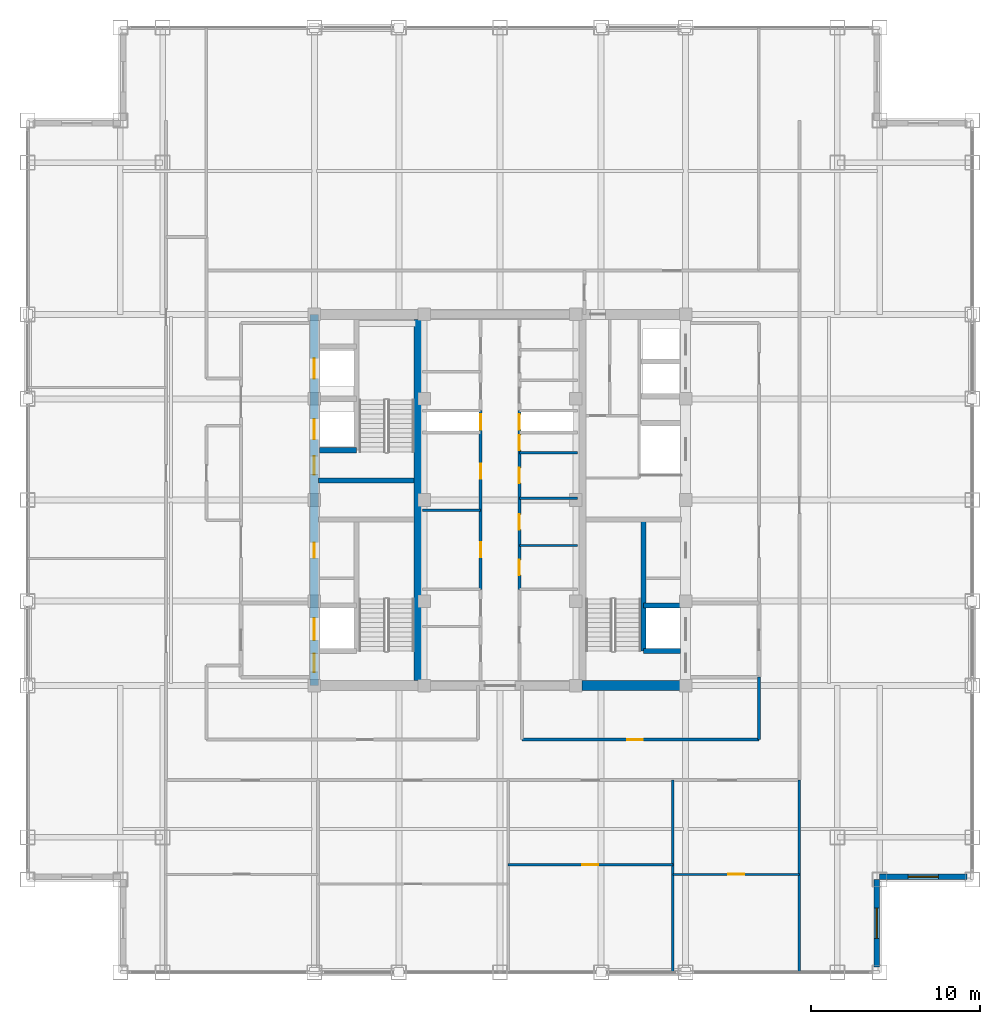
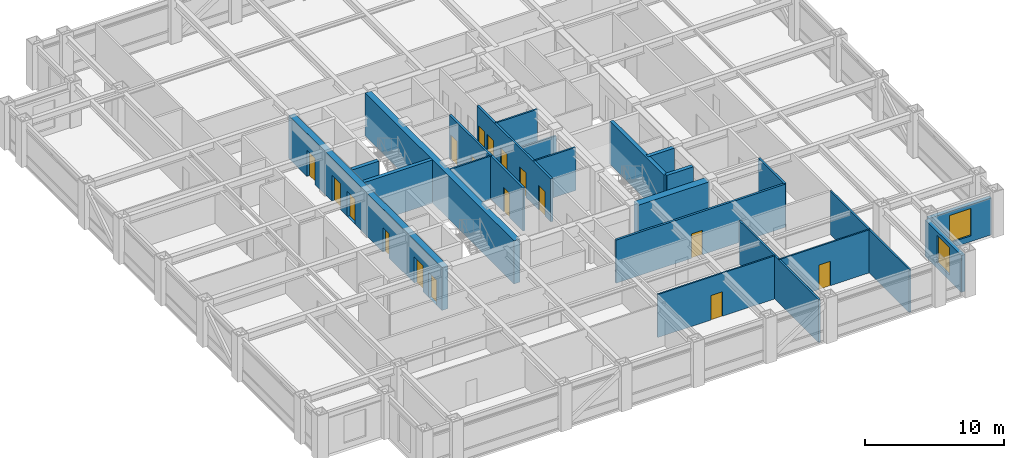
# One storey, part 19 of 22: 22 walls, 17 doors, 2 windows, 19 openings.
"""IFC4 building model written with IfcOpenShell, lengths in metres."""

from ifc_helpers import new_model, si_unit, direction, frame, frame_2d, origin, place, context, subcontext, project, spatial, rectangle, extrude, source, transform, mapped, material, layer, layer_set, type_object, element, fill, save


model = new_model("IFC4")

# Units and contexts
model_context = context("Model", 3, precision=1e-05, world=origin(), true_north=direction((0.0, 1.0)))
body_context = subcontext(model_context, "Body", "Model", "MODEL_VIEW")
ifc_project = project(units=[si_unit("LENGTHUNIT", "METRE"), si_unit("AREAUNIT", "SQUARE_METRE"), si_unit("VOLUMEUNIT", "CUBIC_METRE"), si_unit("PLANEANGLEUNIT", "RADIAN"), si_unit("MASSUNIT", "GRAM", prefix="KILO")], contexts=[model_context])

# Site, building, storey
site_placement = place(None, origin())
site = spatial("IfcSite", under=ifc_project, at=site_placement, CompositionType="ELEMENT")
building_placement = place(site_placement, origin())
building = spatial("IfcBuilding", under=site, at=building_placement, Name="Khorayat Bourse Tower", CompositionType="ELEMENT")
storey_placement = place(building_placement, frame((0.0, 0.0, 293.5)))
storey = spatial("IfcBuildingStorey", under=building, at=storey_placement, Name="L69", CompositionType="ELEMENT", Elevation=293.5)

# Wall, openings, doors
ifc_material_1 = material(Name="Concrete C52/65", Category="concrete")
ifc_layer_1 = layer(ifc_material_1, 0.5)
ifc_layer_set_1 = layer_set([ifc_layer_1], Name="Concrete C52/65")
wall_type_1 = type_object("IfcWallType", Name="WAL-CORE-500", PredefinedType="SHEAR", material=ifc_layer_set_1)
shared_shape_1 = source(origin(), body_context, "Body", "SweptSolid", [
    extrude(rectangle(XDim=22.0, YDim=0.5, at=frame_2d((11.0, 0.0))), origin(), (0.0, 0.0, 1.0), 3.780029296875),
])
wall_1_placement = place(storey_placement, frame((-11.0, -11.0, 0.0), z_axis=(0.0, 0.0, 1.0), x_axis=(0.0, 1.0, 0.0)))
wall_1 = element("IfcWall", 1, at=wall_1_placement, inside=storey, type_object=wall_type_1, Name="L69 Core Shear Wall CORE-W", PredefinedType="SHEAR", context=body_context, shape_type="MappedRepresentation", body=[
    mapped(shared_shape_1, transform((0.0, 0.0, 0.0), scale=1.0)),
])
shared_shape_2 = source(origin(), body_context, "Body", "SweptSolid", [
    extrude(rectangle(XDim=1.10009765625, YDim=2.199951171875, at=frame_2d((0.550048828125, 1.10009765625))), frame((0.0, 0.260009765625, 0.0), z_axis=(0.0, -1.0, 0.0), x_axis=(1.0, 0.0, 0.0)), (0.0, 0.0, 1.0), 0.52001953125),
])
opening_1_placement = place(wall_1_placement, frame((0.800048828125, 0.0, 0.0)))
opening_1 = element("IfcOpeningElement", 2, at=opening_1_placement, cuts=wall_1, Name="Opening DI-01", PredefinedType="OPENING", context=body_context, shape_type="MappedRepresentation", body=[
    mapped(shared_shape_2, transform((0.0, 0.0, 0.0), scale=1.0)),
])
opening_2_placement = place(wall_1_placement, frame((12.5, 0.0, 0.0)))
opening_2 = element("IfcOpeningElement", 3, at=opening_2_placement, cuts=wall_1, Name="Opening DI-01", PredefinedType="OPENING", context=body_context, shape_type="MappedRepresentation", body=[
    mapped(shared_shape_2, transform((0.0, 0.0, 0.0), scale=1.0)),
])
shared_shape_3 = source(origin(), body_context, "Body", "SweptSolid", [
    extrude(rectangle(XDim=0.89990234375, YDim=2.14990234375, at=frame_2d((0.449951171875, 1.074951171875))), frame((0.0, 0.260009765625, 0.0), z_axis=(0.0, -1.0, 0.0), x_axis=(1.0, 0.0, 0.0)), (0.0, 0.0, 1.0), 0.52001953125),
])
opening_3_placement = place(wall_1_placement, frame((7.574951171875, 0.0, 0.0)))
opening_3 = element("IfcOpeningElement", 4, at=opening_3_placement, cuts=wall_1, Name="Opening DI-06", PredefinedType="OPENING", context=body_context, shape_type="MappedRepresentation", body=[
    mapped(shared_shape_3, transform((0.0, 0.0, 0.0), scale=1.0)),
])
shared_shape_4 = source(origin(), body_context, "Body", "SweptSolid", [
    extrude(rectangle(XDim=1.199951171875, YDim=2.300048828125, at=frame_2d((0.60009765625, 1.14990234375))), frame((0.0, 0.260009765625, 0.0), z_axis=(0.0, -1.0, 0.0), x_axis=(1.0, 0.0, 0.0)), (0.0, 0.0, 1.0), 0.52001953125),
])
opening_4_placement = place(wall_1_placement, frame((14.60009765625, 0.0, 0.0)))
opening_4 = element("IfcOpeningElement", 5, at=opening_4_placement, cuts=wall_1, Name="Opening LD-01", PredefinedType="OPENING", context=body_context, shape_type="MappedRepresentation", body=[
    mapped(shared_shape_4, transform((0.0, 0.0, 0.0), scale=1.0)),
])
opening_5_placement = place(wall_1_placement, frame((18.199951171875, 0.0, 0.0)))
opening_5 = element("IfcOpeningElement", 6, at=opening_5_placement, cuts=wall_1, Name="Opening LD-01", PredefinedType="OPENING", context=body_context, shape_type="MappedRepresentation", body=[
    mapped(shared_shape_4, transform((0.0, 0.0, 0.0), scale=1.0)),
])
shared_shape_5 = source(origin(), body_context, "Body", "SweptSolid", [
    extrude(rectangle(XDim=1.300048828125, YDim=2.300048828125, at=frame_2d((0.64990234375, 1.14990234375))), frame((0.0, 0.260009765625, 0.0), z_axis=(0.0, -1.0, 0.0), x_axis=(1.0, 0.0, 0.0)), (0.0, 0.0, 1.0), 0.52001953125),
])
opening_6_placement = place(wall_1_placement, frame((2.699951171875, 0.0, 0.0)))
opening_6 = element("IfcOpeningElement", 7, at=opening_6_placement, cuts=wall_1, Name="Opening LD-02", PredefinedType="OPENING", context=body_context, shape_type="MappedRepresentation", body=[
    mapped(shared_shape_5, transform((0.0, 0.0, 0.0), scale=1.0)),
])
ifc_material_2 = material(Name="Fire-rated steel acoustic leaf", Category="steel")
door_type_1 = type_object("IfcDoorType", Name="DR-INT-STAIR-1100", OperationType="NOTDEFINED", PredefinedType="DOOR", material=ifc_material_2)
shared_shape_6 = source(origin(), body_context, "Body", "SweptSolid", [
    extrude(rectangle(XDim=1.10009765625, YDim=2.199951171875, at=frame_2d((0.550048828125, 1.10009765625))), frame((0.0, 0.02490234375, 0.0), z_axis=(0.0, -1.0, 0.0), x_axis=(1.0, 0.0, 0.0)), (0.0, 0.0, 1.0), 0.050048828125),
])
door_1_placement = place(opening_1_placement, origin())
door_1 = element("IfcDoor", 8, at=door_1_placement, inside=storey, type_object=door_type_1, Name="L69 Exit Stair 1 Door", OperationType="SINGLE_SWING_RIGHT", OverallHeight=2.199951171875, OverallWidth=1.10009765625, PredefinedType="DOOR", context=body_context, shape_type="MappedRepresentation", body=[
    mapped(shared_shape_6, transform((0.0, 0.0, 0.0), scale=1.0)),
])
fill(opening_1, door_1)
door_2_placement = place(opening_2_placement, origin())
door_2 = element("IfcDoor", 9, at=door_2_placement, inside=storey, type_object=door_type_1, Name="L69 Exit Stair 2 Door", OperationType="SINGLE_SWING_RIGHT", OverallHeight=2.199951171875, OverallWidth=1.10009765625, PredefinedType="DOOR", context=body_context, shape_type="MappedRepresentation", body=[
    mapped(shared_shape_6, transform((0.0, 0.0, 0.0), scale=1.0)),
])
fill(opening_2, door_2)
ifc_material_3 = material(Name="Moisture-resistant laminate washroom door")
door_type_2 = type_object("IfcDoorType", Name="DR-INT-WC-900", OperationType="NOTDEFINED", PredefinedType="DOOR", material=ifc_material_3)
shared_shape_7 = source(origin(), body_context, "Body", "SweptSolid", [
    extrude(rectangle(XDim=0.89990234375, YDim=2.14990234375, at=frame_2d((0.449951171875, 1.074951171875))), frame((0.0, 0.02490234375, 0.0), z_axis=(0.0, -1.0, 0.0), x_axis=(1.0, 0.0, 0.0)), (0.0, 0.0, 1.0), 0.050048828125),
])
door_3_placement = place(opening_3_placement, origin())
door_3 = element("IfcDoor", 10, at=door_3_placement, inside=storey, type_object=door_type_2, Name="L69 UPS Switch Plant Room Door", OperationType="SINGLE_SWING_RIGHT", OverallHeight=2.14990234375, OverallWidth=0.89990234375, PredefinedType="DOOR", context=body_context, shape_type="MappedRepresentation", body=[
    mapped(shared_shape_7, transform((0.0, 0.0, 0.0), scale=1.0)),
])
fill(opening_3, door_3)
ifc_material_4 = material(Name="Brushed bronze stainless-steel sliding door", Category="steel")
door_type_3 = type_object("IfcDoorType", Name="DR-LIFT-PASS-1200", OperationType="NOTDEFINED", PredefinedType="DOOR", material=ifc_material_4)
shared_shape_8 = source(origin(), body_context, "Body", "SweptSolid", [
    extrude(rectangle(XDim=1.199951171875, YDim=2.300048828125, at=frame_2d((0.60009765625, 1.14990234375))), frame((0.0, 0.02490234375, 0.0), z_axis=(0.0, -1.0, 0.0), x_axis=(1.0, 0.0, 0.0)), (0.0, 0.0, 1.0), 0.050048828125),
])
door_4_placement = place(opening_4_placement, origin())
door_4 = element("IfcDoor", 11, at=door_4_placement, inside=storey, type_object=door_type_3, Name="L69 Lift PL-H1 Sliding Landing Door", OperationType="SLIDING_TO_LEFT", OverallHeight=2.300048828125, OverallWidth=1.199951171875, PredefinedType="DOOR", context=body_context, shape_type="MappedRepresentation", body=[
    mapped(shared_shape_8, transform((0.0, 0.0, 0.0), scale=1.0)),
])
fill(opening_4, door_4)
door_5_placement = place(opening_5_placement, origin())
door_5 = element("IfcDoor", 12, at=door_5_placement, inside=storey, type_object=door_type_3, Name="L69 Lift PL-H2 Sliding Landing Door", OperationType="SLIDING_TO_LEFT", OverallHeight=2.300048828125, OverallWidth=1.199951171875, PredefinedType="DOOR", context=body_context, shape_type="MappedRepresentation", body=[
    mapped(shared_shape_8, transform((0.0, 0.0, 0.0), scale=1.0)),
])
fill(opening_5, door_5)
ifc_material_5 = material(Name="Fire-rated stainless-steel sliding landing door", Category="steel")
door_type_4 = type_object("IfcDoorType", Name="DR-LIFT-FF-1300", OperationType="NOTDEFINED", PredefinedType="DOOR", material=ifc_material_5)
shared_shape_9 = source(origin(), body_context, "Body", "SweptSolid", [
    extrude(rectangle(XDim=1.300048828125, YDim=2.300048828125, at=frame_2d((0.64990234375, 1.14990234375))), frame((0.0, 0.02490234375, 0.0), z_axis=(0.0, -1.0, 0.0), x_axis=(1.0, 0.0, 0.0)), (0.0, 0.0, 1.0), 0.050048828125),
])
door_6_placement = place(opening_6_placement, origin())
door_6 = element("IfcDoor", 13, at=door_6_placement, inside=storey, type_object=door_type_4, Name="L69 Lift FFL-01 Sliding Landing Door", OperationType="SLIDING_TO_LEFT", OverallHeight=2.300048828125, OverallWidth=1.300048828125, PredefinedType="DOOR", context=body_context, shape_type="MappedRepresentation", body=[
    mapped(shared_shape_9, transform((0.0, 0.0, 0.0), scale=1.0)),
])
fill(opening_6, door_6)

# Walls
shared_shape_10 = source(origin(), body_context, "Body", "SweptSolid", [
    extrude(rectangle(XDim=21.39990234375, YDim=0.5, at=frame_2d((10.699951171875, 0.0))), origin(), (0.0, 0.0, 1.0), 3.780029296875),
])
wall_2_placement = place(storey_placement, frame((-4.85009765625, -10.699951171875, 0.0), z_axis=(0.0, 0.0, 1.0), x_axis=(0.0, 1.0, 0.0)))
element("IfcWall", 14, at=wall_2_placement, inside=storey, type_object=wall_type_1, Name="L69 Core Shear Wall PIER-W", PredefinedType="SHEAR", context=body_context, shape_type="MappedRepresentation", body=[
    mapped(shared_shape_10, transform((0.0, 0.0, 0.0), scale=1.0)),
])
ifc_material_6 = material(Name="Concrete C60/75", Category="concrete")
ifc_layer_2 = layer(ifc_material_6, 0.60009765625)
ifc_layer_set_2 = layer_set([ifc_layer_2], Name="Concrete C60/75")
wall_type_2 = type_object("IfcWallType", Name="WAL-CORE-600", PredefinedType="SHEAR", material=ifc_layer_set_2)
shared_shape_11 = source(origin(), body_context, "Body", "SweptSolid", [
    extrude(rectangle(XDim=5.89990234375, YDim=0.60009765625, at=frame_2d((2.949951171875, 0.0))), origin(), (0.0, 0.0, 1.0), 3.780029296875),
])
wall_3_placement = place(storey_placement, frame((4.85009765625, -11.0, 0.0), z_axis=(0.0, 0.0, 1.0), x_axis=(1.0, 0.0, 0.0)))
element("IfcWall", 15, at=wall_3_placement, inside=storey, type_object=wall_type_2, Name="L69 Core Shear Wall PIER-ES", PredefinedType="SHEAR", context=body_context, shape_type="MappedRepresentation", body=[
    mapped(shared_shape_11, transform((0.0, 0.0, 0.0), scale=1.0)),
])
ifc_material_7 = material(Name="Concrete C50/60", Category="concrete")
ifc_layer_3 = layer(ifc_material_7, 0.300048828125)
ifc_layer_set_3 = layer_set([ifc_layer_3], Name="Concrete C50/60")
wall_type_3 = type_object("IfcWallType", Name="WAL-SHAFT-300", PredefinedType="SHEAR", material=ifc_layer_set_3)
shared_shape_12 = source(origin(), body_context, "Body", "SweptSolid", [
    extrude(rectangle(XDim=5.64990234375, YDim=0.300048828125, at=frame_2d((2.824951171875, 0.0))), origin(), (0.0, 0.0, 1.0), 3.780029296875),
])
wall_4_placement = place(storey_placement, frame((-10.75, 1.14990234375, 0.0), z_axis=(0.0, 0.0, 1.0), x_axis=(1.0, 0.0, 0.0)))
element("IfcWall", 16, at=wall_4_placement, inside=storey, type_object=wall_type_3, Name="L69 Core Shear Wall ST2-DIV", PredefinedType="SHEAR", context=body_context, shape_type="MappedRepresentation", body=[
    mapped(shared_shape_12, transform((0.0, 0.0, 0.0), scale=1.0)),
])

# Wall, opening, window
ifc_material_8 = material(Name="Precast concrete C45/55", Category="concrete")
ifc_layer_4 = layer(ifc_material_8, 0.320068359375)
ifc_layer_set_4 = layer_set([ifc_layer_4], Name="Precast concrete C45/55")
wall_type_4 = type_object("IfcWallType", Name="WAL-EXT-STONE-320", PredefinedType="STANDARD", material=ifc_layer_set_4)
shared_shape_13 = source(origin(), body_context, "Body", "SweptSolid", [
    extrude(rectangle(XDim=5.179931640625, YDim=0.320068359375, at=frame_2d((2.58984375, 0.0))), origin(), (0.0, 0.0, 1.0), 3.23095703125),
])
wall_5_placement = place(storey_placement, frame((22.340087890625, -27.679931640625, 0.0), z_axis=(0.0, 0.0, 1.0), x_axis=(0.0, 1.0, 0.0)))
wall_5 = element("IfcWall", 17, at=wall_5_placement, inside=storey, type_object=wall_type_4, Name="L69 Re-Entrant Notch Limestone Wall SE-V", PredefinedType="STANDARD", context=body_context, shape_type="MappedRepresentation", body=[
    mapped(shared_shape_13, transform((0.0, 0.0, 0.0), scale=1.0)),
])
shared_shape_14 = source(origin(), body_context, "Body", "SweptSolid", [
    extrude(rectangle(XDim=1.800048828125, YDim=2.39990234375, at=frame_2d((0.89990234375, 1.199951171875))), frame((0.0, 0.169921875, 0.0), z_axis=(0.0, -1.0, 0.0), x_axis=(1.0, 0.0, 0.0)), (0.0, 0.0, 1.0), 0.340087890625),
])
opening_7_placement = place(wall_5_placement, frame((1.68994140625, 0.0, 0.5)))
opening_7 = element("IfcOpeningElement", 18, at=opening_7_placement, cuts=wall_5, Name="Opening WN-04", PredefinedType="OPENING", context=body_context, shape_type="MappedRepresentation", body=[
    mapped(shared_shape_14, transform((0.0, 0.0, 0.0), scale=1.0)),
])
ifc_material_9 = material(Name="Low-E acoustic laminated double glazing", Category="glass")
window_type = type_object("IfcWindowType", Name="WIN-NOTCH-1800x2400", PartitioningType="SINGLE_PANEL", PredefinedType="WINDOW", material=ifc_material_9)
shared_shape_15 = source(origin(), body_context, "Body", "SweptSolid", [
    extrude(rectangle(XDim=1.800048828125, YDim=2.39990234375, at=frame_2d((0.89990234375, 1.199951171875))), frame((0.0, 0.030029296875, 0.0), z_axis=(0.0, -1.0, 0.0), x_axis=(1.0, 0.0, 0.0)), (0.0, 0.0, 1.0), 0.06005859375),
])
window_1_placement = place(opening_7_placement, origin())
window_1 = element("IfcWindow", 19, at=window_1_placement, inside=storey, type_object=window_type, Name="L69 Facade Window 1", OverallHeight=2.39990234375, OverallWidth=1.800048828125, PartitioningType="SINGLE_PANEL", PredefinedType="WINDOW", context=body_context, shape_type="MappedRepresentation", body=[
    mapped(shared_shape_15, transform((0.0, 0.0, 0.0), scale=1.0)),
])
fill(opening_7, window_1)

wall_6_placement = place(storey_placement, frame((22.5, -22.340087890625, 0.0), z_axis=(0.0, 0.0, 1.0), x_axis=(1.0, 0.0, 0.0)))
wall_6 = element("IfcWall", 20, at=wall_6_placement, inside=storey, type_object=wall_type_4, Name="L69 Re-Entrant Notch Limestone Wall SE-H", PredefinedType="STANDARD", context=body_context, shape_type="MappedRepresentation", body=[
    mapped(shared_shape_13, transform((0.0, 0.0, 0.0), scale=1.0)),
])
opening_8_placement = place(wall_6_placement, frame((1.68994140625, 0.0, 0.5)))
opening_8 = element("IfcOpeningElement", 21, at=opening_8_placement, cuts=wall_6, Name="Opening WN-04", PredefinedType="OPENING", context=body_context, shape_type="MappedRepresentation", body=[
    mapped(shared_shape_14, transform((0.0, 0.0, 0.0), scale=1.0)),
])
window_2_placement = place(opening_8_placement, origin())
window_2 = element("IfcWindow", 22, at=window_2_placement, inside=storey, type_object=window_type, Name="L69 Facade Window 1", OverallHeight=2.39990234375, OverallWidth=1.800048828125, PartitioningType="SINGLE_PANEL", PredefinedType="WINDOW", context=body_context, shape_type="MappedRepresentation", body=[
    mapped(shared_shape_15, transform((0.0, 0.0, 0.0), scale=1.0)),
])
fill(opening_8, window_2)

# Walls
ifc_material_10 = material(Name="Moisture-resistant masonry partition", Category="masonry")
ifc_layer_5 = layer(ifc_material_10, 0.139892578125)
ifc_layer_set_5 = layer_set([ifc_layer_5], Name="Moisture-resistant masonry partition")
wall_type_5 = type_object("IfcWallType", Name="WAL-PART-WET-140", PredefinedType="PARTITIONING", material=ifc_layer_set_5)
shared_shape_16 = source(origin(), body_context, "Body", "SweptSolid", [
    extrude(rectangle(XDim=3.4501953125, YDim=0.139892578125, at=frame_2d((1.72509765625, 0.0))), origin(), (0.0, 0.0, 1.0), 3.0849609375),
])
wall_7_placement = place(storey_placement, frame((1.14990234375, 0.10009765625, 0.0), z_axis=(0.0, 0.0, 1.0), x_axis=(1.0, 0.0, 0.0)))
element("IfcWall", 23, at=wall_7_placement, inside=storey, type_object=wall_type_5, Name="L69 Partition WAL-L69-CME-D2", PredefinedType="PARTITIONING", context=body_context, shape_type="MappedRepresentation", body=[
    mapped(shared_shape_16, transform((0.0, 0.0, 0.0), scale=1.0)),
])
shared_shape_17 = source(origin(), body_context, "Body", "SweptSolid", [
    extrude(rectangle(XDim=7.800048828125, YDim=0.300048828125, at=frame_2d((3.89990234375, 0.0))), origin(), (0.0, 0.0, 1.0), 3.780029296875),
])
wall_8_placement = place(storey_placement, frame((8.5, -8.949951171875, 0.0), z_axis=(0.0, 0.0, 1.0), x_axis=(0.0, 1.0, 0.0)))
element("IfcWall", 24, at=wall_8_placement, inside=storey, type_object=wall_type_3, Name="L69 Partition WAL-L69-EPIER-SP", PredefinedType="SHEAR", context=body_context, shape_type="MappedRepresentation", body=[
    mapped(shared_shape_17, transform((0.0, 0.0, 0.0), scale=1.0)),
])
shared_shape_18 = source(origin(), body_context, "Body", "SweptSolid", [
    extrude(rectangle(XDim=2.199951171875, YDim=0.300048828125, at=frame_2d((1.10009765625, 0.0))), origin(), (0.0, 0.0, 1.0), 3.780029296875),
])
for number, where, z_axis, x_axis, name in (
    (25, (-10.699951171875, 2.949951171875, 0.0), (0.0, 0.0, 1.0), (1.0, 0.0, 0.0), "L69 Partition WAL-L69-WPIER-H1S"),
    (26, (8.5, -8.949951171875, 0.0), (0.0, 0.0, 1.0), (1.0, 0.0, 0.0), "L69 Partition WAL-L69-EPIER-FF2S"),
    (27, (8.5, -6.25, 0.0), (0.0, 0.0, 1.0), (1.0, 0.0, 0.0), "L69 Partition WAL-L69-EPIER-FF2N"),
):
    element("IfcWall", number, at=place(storey_placement, frame(where, z_axis=z_axis, x_axis=x_axis)), inside=storey, type_object=wall_type_3, Name=name, PredefinedType="SHEAR", context=body_context, shape_type="MappedRepresentation", body=[
        mapped(shared_shape_18, transform((0.0, 0.0, 0.0), scale=1.0)),
    ])
shared_shape_19 = source(origin(), body_context, "Body", "SweptSolid", [
    extrude(rectangle(XDim=3.4501953125, YDim=0.139892578125, at=frame_2d((1.72509765625, 0.0))), origin(), (0.0, 0.0, 1.0), 3.780029296875),
])
for number, where, z_axis, x_axis, name in (
    (28, (-4.60009765625, -0.60009765625, 0.0), (0.0, 0.0, 1.0), (1.0, 0.0, 0.0), "L69 Partition WAL-L69-CMW-D1"),
    (29, (1.14990234375, -2.699951171875, 0.0), (0.0, 0.0, 1.0), (1.0, 0.0, 0.0), "L69 Partition WAL-L69-CME-D1"),
    (30, (1.14990234375, 2.800048828125, 0.0), (0.0, 0.0, 1.0), (1.0, 0.0, 0.0), "L69 Partition WAL-L69-CME-D3"),
):
    element("IfcWall", number, at=place(storey_placement, frame(where, z_axis=z_axis, x_axis=x_axis)), inside=storey, type_object=wall_type_5, Name=name, PredefinedType="PARTITIONING", context=body_context, shape_type="MappedRepresentation", body=[
        mapped(shared_shape_19, transform((0.0, 0.0, 0.0), scale=1.0)),
    ])

# Wall, openings, doors
ifc_material_11 = material(Name="Gypsum plasterboard acoustic stud wall")
ifc_layer_6 = layer(ifc_material_11, 0.179931640625)
ifc_layer_set_6 = layer_set([ifc_layer_6], Name="Gypsum plasterboard acoustic stud wall")
wall_type_6 = type_object("IfcWallType", Name="WAL-PART-CORR-180", PredefinedType="PARTITIONING", material=ifc_layer_set_6)
shared_shape_20 = source(origin(), body_context, "Body", "SweptSolid", [
    extrude(rectangle(XDim=10.60009765625, YDim=0.179931640625, at=frame_2d((5.300048828125, 0.0))), origin(), (0.0, 0.0, 1.0), 3.780029296875),
])
wall_9_placement = place(storey_placement, frame((-1.14990234375, -5.300048828125, 0.0), z_axis=(0.0, 0.0, 1.0), x_axis=(0.0, 1.0, 0.0)))
wall_9 = element("IfcWall", 31, at=wall_9_placement, inside=storey, type_object=wall_type_6, Name="L69 Partition WAL-L69-CMW-L", PredefinedType="PARTITIONING", context=body_context, shape_type="MappedRepresentation", body=[
    mapped(shared_shape_20, transform((0.0, 0.0, 0.0), scale=1.0)),
])
shared_shape_21 = source(origin(), body_context, "Body", "SweptSolid", [
    extrude(rectangle(XDim=0.89990234375, YDim=2.14990234375, at=frame_2d((0.449951171875, 1.074951171875))), frame((0.0, 0.099853515625, 0.0), z_axis=(0.0, -1.0, 0.0), x_axis=(1.0, 0.0, 0.0)), (0.0, 0.0, 1.0), 0.199951171875),
])
opening_9_placement = place(wall_9_placement, frame((1.89990234375, 0.0, 0.0)))
opening_9 = element("IfcOpeningElement", 32, at=opening_9_placement, cuts=wall_9, Name="Opening DI-06", PredefinedType="OPENING", context=body_context, shape_type="MappedRepresentation", body=[
    mapped(shared_shape_21, transform((0.0, 0.0, 0.0), scale=1.0)),
])
opening_10_placement = place(wall_9_placement, frame((6.550048828125, 0.0, 0.0)))
opening_10 = element("IfcOpeningElement", 33, at=opening_10_placement, cuts=wall_9, Name="Opening DI-06", PredefinedType="OPENING", context=body_context, shape_type="MappedRepresentation", body=[
    mapped(shared_shape_21, transform((0.0, 0.0, 0.0), scale=1.0)),
])
opening_11_placement = place(wall_9_placement, frame((9.47509765625, 0.0, 0.0)))
opening_11 = element("IfcOpeningElement", 34, at=opening_11_placement, cuts=wall_9, Name="Opening DI-06", PredefinedType="OPENING", context=body_context, shape_type="MappedRepresentation", body=[
    mapped(shared_shape_21, transform((0.0, 0.0, 0.0), scale=1.0)),
])
door_7_placement = place(opening_9_placement, origin())
door_7 = element("IfcDoor", 35, at=door_7_placement, inside=storey, type_object=door_type_2, Name="L69 Male Core Washroom Door", OperationType="SINGLE_SWING_RIGHT", OverallHeight=2.14990234375, OverallWidth=0.89990234375, PredefinedType="DOOR", context=body_context, shape_type="MappedRepresentation", body=[
    mapped(shared_shape_7, transform((0.0, 0.0, 0.0), scale=1.0)),
])
fill(opening_9, door_7)
door_8_placement = place(opening_10_placement, origin())
door_8 = element("IfcDoor", 36, at=door_8_placement, inside=storey, type_object=door_type_2, Name="L69 Chilled Water Riser Plant Room Door", OperationType="SINGLE_SWING_LEFT", OverallHeight=2.14990234375, OverallWidth=0.89990234375, PredefinedType="DOOR", context=body_context, shape_type="MappedRepresentation", body=[
    mapped(shared_shape_7, transform((0.0, 0.0, 0.0), scale=1.0)),
])
fill(opening_10, door_8)
door_9_placement = place(opening_11_placement, origin())
door_9 = element("IfcDoor", 37, at=door_9_placement, inside=storey, type_object=door_type_2, Name="L69 West Core Riser Door", OperationType="SINGLE_SWING_LEFT", OverallHeight=2.14990234375, OverallWidth=0.89990234375, PredefinedType="DOOR", context=body_context, shape_type="MappedRepresentation", body=[
    mapped(shared_shape_7, transform((0.0, 0.0, 0.0), scale=1.0)),
])
fill(opening_11, door_9)

wall_10_placement = place(storey_placement, frame((1.14990234375, -5.300048828125, 0.0), z_axis=(0.0, 0.0, 1.0), x_axis=(0.0, 1.0, 0.0)))
wall_10 = element("IfcWall", 38, at=wall_10_placement, inside=storey, type_object=wall_type_6, Name="L69 Partition WAL-L69-CME-L", PredefinedType="PARTITIONING", context=body_context, shape_type="MappedRepresentation", body=[
    mapped(shared_shape_20, transform((0.0, 0.0, 0.0), scale=1.0)),
])
opening_12_placement = place(wall_10_placement, frame((0.85009765625, 0.0, 0.0)))
opening_12 = element("IfcOpeningElement", 39, at=opening_12_placement, cuts=wall_10, Name="Opening DI-06", PredefinedType="OPENING", context=body_context, shape_type="MappedRepresentation", body=[
    mapped(shared_shape_21, transform((0.0, 0.0, 0.0), scale=1.0)),
])
opening_13_placement = place(wall_10_placement, frame((3.550048828125, 0.0, 0.0)))
opening_13 = element("IfcOpeningElement", 40, at=opening_13_placement, cuts=wall_10, Name="Opening DI-06", PredefinedType="OPENING", context=body_context, shape_type="MappedRepresentation", body=[
    mapped(shared_shape_21, transform((0.0, 0.0, 0.0), scale=1.0)),
])
opening_14_placement = place(wall_10_placement, frame((6.300048828125, 0.0, 0.0)))
opening_14 = element("IfcOpeningElement", 41, at=opening_14_placement, cuts=wall_10, Name="Opening DI-06", PredefinedType="OPENING", context=body_context, shape_type="MappedRepresentation", body=[
    mapped(shared_shape_21, transform((0.0, 0.0, 0.0), scale=1.0)),
])
opening_15_placement = place(wall_10_placement, frame((8.25, 0.0, 0.0)))
opening_15 = element("IfcOpeningElement", 42, at=opening_15_placement, cuts=wall_10, Name="Opening DI-06", PredefinedType="OPENING", context=body_context, shape_type="MappedRepresentation", body=[
    mapped(shared_shape_21, transform((0.0, 0.0, 0.0), scale=1.0)),
])
opening_16_placement = place(wall_10_placement, frame((9.47509765625, 0.0, 0.0)))
opening_16 = element("IfcOpeningElement", 43, at=opening_16_placement, cuts=wall_10, Name="Opening DI-06", PredefinedType="OPENING", context=body_context, shape_type="MappedRepresentation", body=[
    mapped(shared_shape_21, transform((0.0, 0.0, 0.0), scale=1.0)),
])
door_10_placement = place(opening_12_placement, origin())
door_10 = element("IfcDoor", 44, at=door_10_placement, inside=storey, type_object=door_type_2, Name="L69 Female Core Washroom Door", OperationType="SINGLE_SWING_RIGHT", OverallHeight=2.14990234375, OverallWidth=0.89990234375, PredefinedType="DOOR", context=body_context, shape_type="MappedRepresentation", body=[
    mapped(shared_shape_7, transform((0.0, 0.0, 0.0), scale=1.0)),
])
fill(opening_12, door_10)
door_11_placement = place(opening_13_placement, origin())
door_11 = element("IfcDoor", 45, at=door_11_placement, inside=storey, type_object=door_type_2, Name="L69 Comms Patch Room Door", OperationType="SINGLE_SWING_LEFT", OverallHeight=2.14990234375, OverallWidth=0.89990234375, PredefinedType="DOOR", context=body_context, shape_type="MappedRepresentation", body=[
    mapped(shared_shape_7, transform((0.0, 0.0, 0.0), scale=1.0)),
])
fill(opening_13, door_11)
door_12_placement = place(opening_14_placement, origin())
door_12 = element("IfcDoor", 46, at=door_12_placement, inside=storey, type_object=door_type_2, Name="L69 Janitor Cupboard Door", OperationType="SINGLE_SWING_RIGHT", OverallHeight=2.14990234375, OverallWidth=0.89990234375, PredefinedType="DOOR", context=body_context, shape_type="MappedRepresentation", body=[
    mapped(shared_shape_7, transform((0.0, 0.0, 0.0), scale=1.0)),
])
fill(opening_14, door_12)
door_13_placement = place(opening_15_placement, origin())
door_13 = element("IfcDoor", 47, at=door_13_placement, inside=storey, type_object=door_type_2, Name="L69 Fire Valve Plant Room Door", OperationType="SINGLE_SWING_LEFT", OverallHeight=2.14990234375, OverallWidth=0.89990234375, PredefinedType="DOOR", context=body_context, shape_type="MappedRepresentation", body=[
    mapped(shared_shape_7, transform((0.0, 0.0, 0.0), scale=1.0)),
])
fill(opening_15, door_13)
door_14_placement = place(opening_16_placement, origin())
door_14 = element("IfcDoor", 48, at=door_14_placement, inside=storey, type_object=door_type_2, Name="L69 East Core Riser Door", OperationType="SINGLE_SWING_RIGHT", OverallHeight=2.14990234375, OverallWidth=0.89990234375, PredefinedType="DOOR", context=body_context, shape_type="MappedRepresentation", body=[
    mapped(shared_shape_7, transform((0.0, 0.0, 0.0), scale=1.0)),
])
fill(opening_16, door_14)

# Wall, opening, door
shared_shape_22 = source(origin(), body_context, "Body", "SweptSolid", [
    extrude(rectangle(XDim=14.050048828125, YDim=0.179931640625, at=frame_2d((7.02490234375, 0.0))), origin(), (0.0, 0.0, 1.0), 3.780029296875),
])
wall_11_placement = place(storey_placement, frame((1.300048828125, -14.199951171875, 0.0), z_axis=(0.0, 0.0, 1.0), x_axis=(1.0, 0.0, 0.0)))
wall_11 = element("IfcWall", 49, at=wall_11_placement, inside=storey, type_object=wall_type_6, Name="L69 Partition WAL-L69-PKSE-S", PredefinedType="PARTITIONING", context=body_context, shape_type="MappedRepresentation", body=[
    mapped(shared_shape_22, transform((0.0, 0.0, 0.0), scale=1.0)),
])
opening_17_placement = place(wall_11_placement, frame((6.25, 0.0, 0.0)))
opening_17 = element("IfcOpeningElement", 50, at=opening_17_placement, cuts=wall_11, Name="Opening DI-06", PredefinedType="OPENING", context=body_context, shape_type="MappedRepresentation", body=[
    mapped(shared_shape_21, transform((0.0, 0.0, 0.0), scale=1.0)),
])
door_15_placement = place(opening_17_placement, origin())
door_15 = element("IfcDoor", 51, at=door_15_placement, inside=storey, type_object=door_type_2, Name="L69 SE Inboard Study Door", OperationType="SINGLE_SWING_RIGHT", OverallHeight=2.14990234375, OverallWidth=0.89990234375, PredefinedType="DOOR", context=body_context, shape_type="MappedRepresentation", body=[
    mapped(shared_shape_7, transform((0.0, 0.0, 0.0), scale=1.0)),
])
fill(opening_17, door_15)

ifc_material_12 = material(Name="Gypsum plasterboard partition")
ifc_layer_7 = layer(ifc_material_12, 0.125)
ifc_layer_set_7 = layer_set([ifc_layer_7], Name="Gypsum plasterboard partition")
wall_type_7 = type_object("IfcWallType", Name="WAL-PART-ROOM-125", PredefinedType="PARTITIONING", material=ifc_layer_set_7)
shared_shape_23 = source(origin(), body_context, "Body", "SweptSolid", [
    extrude(rectangle(XDim=9.762939453125, YDim=0.125, at=frame_2d((4.88134765625, 0.0))), origin(), (0.0, 0.0, 1.0), 3.780029296875),
])
wall_12_placement = place(storey_placement, frame((0.47705078125, -21.615966796875, 0.0), z_axis=(0.0, 0.0, 1.0), x_axis=(1.0, 0.0, 0.0)))
wall_12 = element("IfcWall", 52, at=wall_12_placement, inside=storey, type_object=wall_type_7, Name="L69 Partition WAL-L69-SDP-3", PredefinedType="PARTITIONING", context=body_context, shape_type="MappedRepresentation", body=[
    mapped(shared_shape_23, transform((0.0, 0.0, 0.0), scale=1.0)),
])
shared_shape_24 = source(origin(), body_context, "Body", "SweptSolid", [
    extrude(rectangle(XDim=0.949951171875, YDim=2.14990234375, at=frame_2d((0.47509765625, 1.074951171875))), frame((0.0, 0.072509765625, 0.0), z_axis=(0.0, -1.0, 0.0), x_axis=(1.0, 0.0, 0.0)), (0.0, 0.0, 1.0), 0.14501953125),
])
opening_18_placement = place(wall_12_placement, frame((4.406494140625, 0.0, 0.0)))
opening_18 = element("IfcOpeningElement", 53, at=opening_18_placement, cuts=wall_12, Name="Opening DI-05", PredefinedType="OPENING", context=body_context, shape_type="MappedRepresentation", body=[
    mapped(shared_shape_24, transform((0.0, 0.0, 0.0), scale=1.0)),
])
ifc_material_13 = material(Name="Acoustic oak veneer office door")
door_type_5 = type_object("IfcDoorType", Name="DR-INT-OFFICE-950", OperationType="NOTDEFINED", PredefinedType="DOOR", material=ifc_material_13)
shared_shape_25 = source(origin(), body_context, "Body", "SweptSolid", [
    extrude(rectangle(XDim=0.949951171875, YDim=2.14990234375, at=frame_2d((0.47509765625, 1.074951171875))), frame((0.0, 0.02490234375, 0.0), z_axis=(0.0, -1.0, 0.0), x_axis=(1.0, 0.0, 0.0)), (0.0, 0.0, 1.0), 0.050048828125),
])
door_16_placement = place(opening_18_placement, origin())
door_16 = element("IfcDoor", 54, at=door_16_placement, inside=storey, type_object=door_type_5, Name="L69 Catering Servery Kitchen S3B Door", OperationType="SINGLE_SWING_RIGHT", OverallHeight=2.14990234375, OverallWidth=0.949951171875, PredefinedType="DOOR", context=body_context, shape_type="MappedRepresentation", body=[
    mapped(shared_shape_25, transform((0.0, 0.0, 0.0), scale=1.0)),
])
fill(opening_18, door_16)

# Walls
shared_shape_26 = source(origin(), body_context, "Body", "SweptSolid", [
    extrude(rectangle(XDim=3.699951171875, YDim=0.179931640625, at=frame_2d((1.85009765625, 0.0))), origin(), (0.0, 0.0, 1.0), 3.780029296875),
])
wall_13_placement = place(storey_placement, frame((15.35009765625, -14.199951171875, 0.0), z_axis=(0.0, 0.0, 1.0), x_axis=(0.0, 1.0, 0.0)))
element("IfcWall", 55, at=wall_13_placement, inside=storey, type_object=wall_type_6, Name="L69 Partition WAL-L69-PKSE-E", PredefinedType="PARTITIONING", context=body_context, shape_type="MappedRepresentation", body=[
    mapped(shared_shape_26, transform((0.0, 0.0, 0.0), scale=1.0)),
])
ifc_material_14 = material(Name="Gypsum plasterboard twin-frame partition")
ifc_layer_8 = layer(ifc_material_14, 0.14990234375)
ifc_layer_set_8 = layer_set([ifc_layer_8], Name="Gypsum plasterboard twin-frame partition")
wall_type_8 = type_object("IfcWallType", Name="WAL-PART-SUITE-150", PredefinedType="PARTITIONING", material=ifc_layer_set_8)
shared_shape_27 = source(origin(), body_context, "Body", "SweptSolid", [
    extrude(rectangle(XDim=11.39990234375, YDim=0.14990234375, at=frame_2d((5.699951171875, 0.0))), origin(), (0.0, 0.0, 1.0), 3.780029296875),
])
for number, where, z_axis, x_axis, name in (
    (56, (10.239990234375, -28.0, 0.0), (0.0, 0.0, 1.0), (0.0, 1.0, 0.0), "L69 Partition WAL-L69-SDV-3"),
    (57, (17.75, -28.0, 0.0), (0.0, 0.0, 1.0), (0.0, 1.0, 0.0), "L69 Partition WAL-L69-SCE-END"),
):
    element("IfcWall", number, at=place(storey_placement, frame(where, z_axis=z_axis, x_axis=x_axis)), inside=storey, type_object=wall_type_8, Name=name, PredefinedType="PARTITIONING", context=body_context, shape_type="MappedRepresentation", body=[
        mapped(shared_shape_27, transform((0.0, 0.0, 0.0), scale=1.0)),
    ])

# Wall, opening, door
shared_shape_28 = source(origin(), body_context, "Body", "SweptSolid", [
    extrude(rectangle(XDim=7.510009765625, YDim=0.125, at=frame_2d((3.7548828125, 0.0))), origin(), (0.0, 0.0, 1.0), 3.780029296875),
])
wall_14_placement = place(storey_placement, frame((10.239990234375, -22.18603515625, 0.0), z_axis=(0.0, 0.0, 1.0), x_axis=(1.0, 0.0, 0.0)))
wall_14 = element("IfcWall", 58, at=wall_14_placement, inside=storey, type_object=wall_type_7, Name="L69 Partition WAL-L69-SDP-4", PredefinedType="PARTITIONING", context=body_context, shape_type="MappedRepresentation", body=[
    mapped(shared_shape_28, transform((0.0, 0.0, 0.0), scale=1.0)),
])
opening_19_placement = place(wall_14_placement, frame((3.280029296875, 0.0, 0.0)))
opening_19 = element("IfcOpeningElement", 59, at=opening_19_placement, cuts=wall_14, Name="Opening DI-05", PredefinedType="OPENING", context=body_context, shape_type="MappedRepresentation", body=[
    mapped(shared_shape_24, transform((0.0, 0.0, 0.0), scale=1.0)),
])
door_17_placement = place(opening_19_placement, origin())
door_17 = element("IfcDoor", 60, at=door_17_placement, inside=storey, type_object=door_type_5, Name="L69 Clearing Records Archive Store S4B Door", OperationType="SINGLE_SWING_LEFT", OverallHeight=2.14990234375, OverallWidth=0.949951171875, PredefinedType="DOOR", context=body_context, shape_type="MappedRepresentation", body=[
    mapped(shared_shape_25, transform((0.0, 0.0, 0.0), scale=1.0)),
])
fill(opening_19, door_17)

save(model, "model.ifc")
